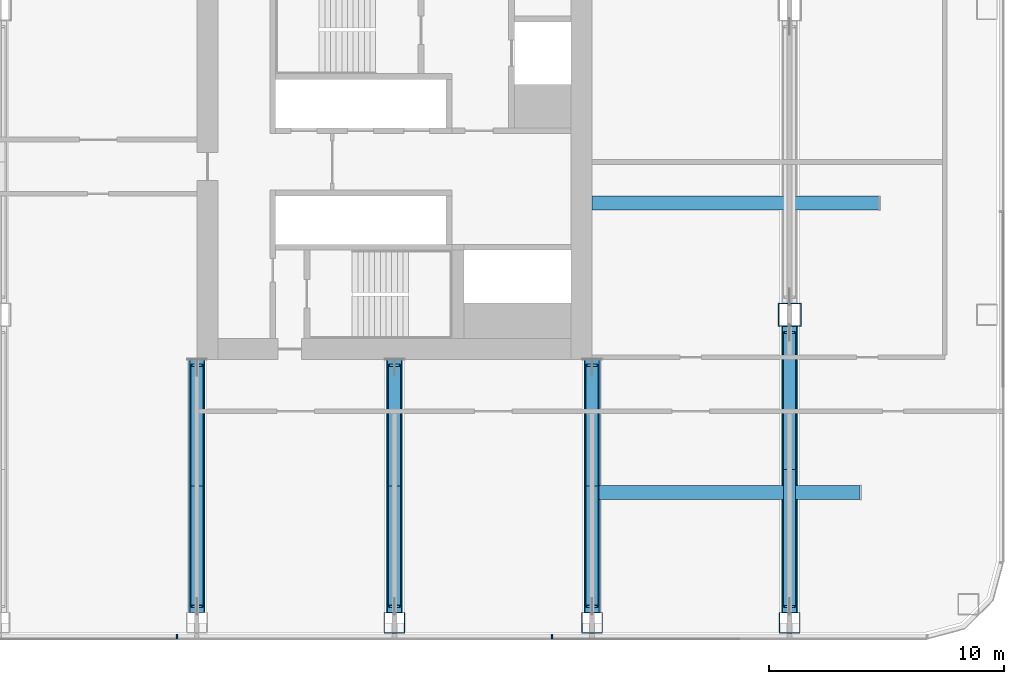
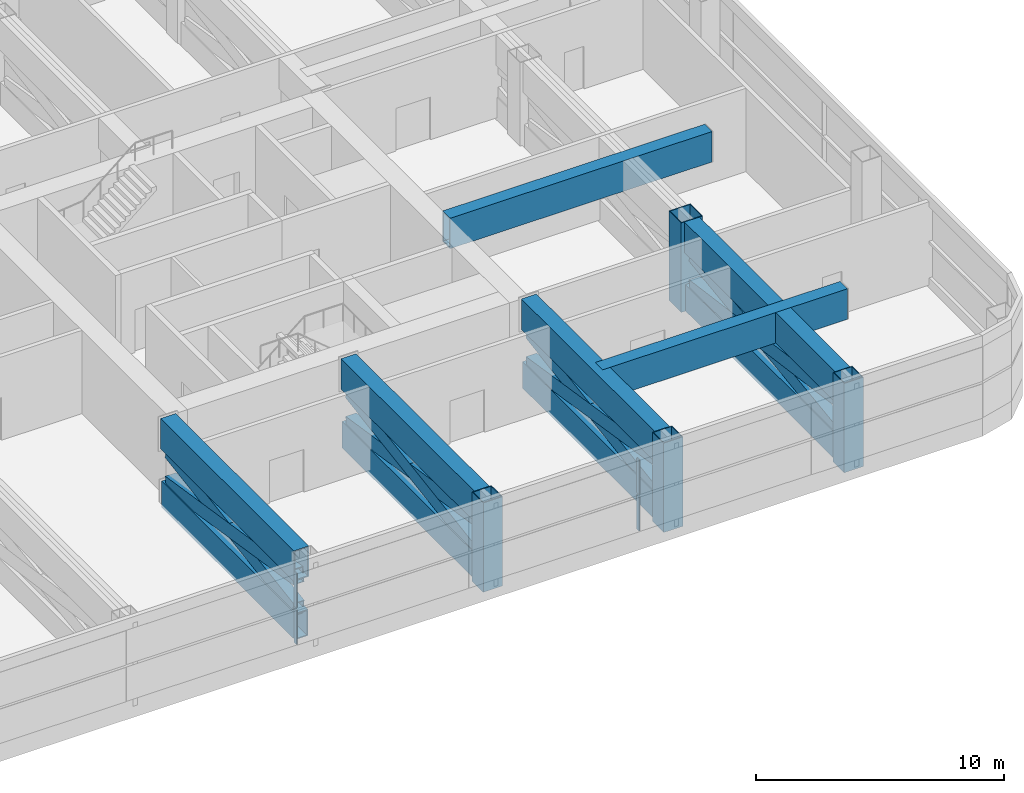
# One storey, part 10 of 30: 24 members, 2 beams, 1 element without a shape of its own.
"""IFC4 building model written with IfcOpenShell, lengths in metres."""

import ifcopenshell
import ifcopenshell.guid

model = None  # the IFC model being written
_history = None  # IfcOwnerHistory: only IFC2X3 demands one
_inside = {}  # id of a spatial element -> (the spatial element, [elements in it])
_under = {}  # id of a project, library or spatial element -> (it, [spatial elements below it])
_declared = {}  # id of a project -> (the project, [libraries it declares])
_typed = {}  # id of a type object -> (the type object, [elements of that type])
_made_of = {}  # id of a material, layer set ... -> (it, [elements and type objects made of it])


def new_model(schema):
    """Start an empty IFC model of exactly this schema.

    Asked for "IFC4X3", IfcOpenShell would pick the latest addendum, in which some entities
    have other attributes; the version numbers below select the first issue.
    IFC2X3 requires an IfcOwnerHistory on every rooted entity: one is made here for all.
    """
    global model, _history
    if schema == "IFC4X3":
        model = ifcopenshell.file(schema_version=(4, 3, 0, 0))
    else:
        model = ifcopenshell.file(schema=schema)
    _inside.clear()
    _under.clear()
    _declared.clear()
    _typed.clear()
    _made_of.clear()
    _history = None
    if model.schema == "IFC2X3":
        org = make("IfcOrganization", Name="unknown")
        user = make(
            "IfcPersonAndOrganization",
            ThePerson=make("IfcPerson", FamilyName="unknown"),
            TheOrganization=org,
        )
        app = make(
            "IfcApplication",
            ApplicationDeveloper=org,
            Version="unknown",
            ApplicationFullName="unknown",
            ApplicationIdentifier="unknown",
        )
        _history = make(
            "IfcOwnerHistory",
            OwningUser=user,
            OwningApplication=app,
            ChangeAction="ADDED",
            CreationDate=0,
        )
    return model


def make(cls, **values):
    """One entity of the class cls with the attributes given. An attribute that is None is left unset."""
    return model.create_entity(
        cls, **{name: value for name, value in values.items() if value is not None}
    )


def rooted(cls, **values):
    """An entity with a GlobalId (a new one), such as an element, a storey or a relation."""
    return make(cls, GlobalId=ifcopenshell.guid.new(), OwnerHistory=_history, **values)


def si_unit(unit_type, name, prefix=None):
    """IfcSIUnit, for example si_unit("LENGTHUNIT", "METRE", prefix="MILLI")."""
    return make("IfcSIUnit", UnitType=unit_type, Prefix=prefix, Name=name)


def assignment(units):
    """IfcUnitAssignment: the units of a project."""
    return None if units is None else make("IfcUnitAssignment", Units=units)


def point(xyz):
    """IfcCartesianPoint."""
    return None if xyz is None else make("IfcCartesianPoint", Coordinates=xyz)


def direction(xyz):
    """IfcDirection."""
    return None if xyz is None else make("IfcDirection", DirectionRatios=xyz)


def frame(location, z_axis=None, x_axis=None):
    """IfcAxis2Placement3D, a coordinate frame: its origin and axes. An axis left out is left unset."""
    return make(
        "IfcAxis2Placement3D",
        Location=point(location),
        Axis=direction(z_axis),
        RefDirection=direction(x_axis),
    )


def frame_2d(location, x_axis=None):
    """IfcAxis2Placement2D, a coordinate frame in the plane: its origin and x axis."""
    return make(
        "IfcAxis2Placement2D", Location=point(location), RefDirection=direction(x_axis)
    )


def origin():
    """The frame at (0, 0, 0) with its axes left unset."""
    return frame((0.0, 0.0, 0.0))


def origin_2d():
    """The frame at (0, 0) in the plane with its x axis left unset."""
    return frame_2d((0.0, 0.0))


def place(relative_to, where):
    """IfcLocalPlacement: puts the frame where relative to a parent placement (None: the world)."""
    return make(
        "IfcLocalPlacement", PlacementRelTo=relative_to, RelativePlacement=where
    )


def context(
    kind, dimensions, precision=None, world=None, true_north=None, identifier=None
):
    """IfcGeometricRepresentationContext, for example the 3D "Model" context."""
    return make(
        "IfcGeometricRepresentationContext",
        ContextIdentifier=identifier,
        ContextType=kind,
        CoordinateSpaceDimension=dimensions,
        Precision=precision,
        WorldCoordinateSystem=world,
        TrueNorth=true_north,
    )


def subcontext(parent, identifier, kind, view, scale=None):
    """IfcGeometricRepresentationSubContext, for example "Body" below "Model"."""
    return make(
        "IfcGeometricRepresentationSubContext",
        ContextIdentifier=identifier,
        ContextType=kind,
        ParentContext=parent,
        TargetScale=scale,
        TargetView=view,
    )


def project(units=None, contexts=None):
    """IfcProject with its units and contexts."""
    return rooted(
        "IfcProject",
        Name="project",
        RepresentationContexts=contexts,
        UnitsInContext=assignment(units),
    )


def spatial(cls, under=None, at=None, **own):
    """A site, building, storey or space (cls), placed at a placement, below another one or the project."""
    s = rooted(cls, ObjectPlacement=at, **own)
    if under is not None:
        _under.setdefault(under.id(), (under, []))[1].append(s)
    return s


def profile(cls, at=None, kind="AREA", **sizes):
    """A parametric profile (cls). Its sizes go by their IFC names, for example OverallWidth=200.0."""
    return make(cls, ProfileType=kind, Position=at, **sizes)


def rectangle(**sizes):
    """IfcRectangleProfileDef."""
    return profile("IfcRectangleProfileDef", **sizes)


def hollow_rectangle(**sizes):
    """IfcRectangleHollowProfileDef."""
    return profile("IfcRectangleHollowProfileDef", **sizes)


def extrude(swept, where, along, depth):
    """IfcExtrudedAreaSolid: the profile swept, set in the frame where, extruded along a direction by depth."""
    return make(
        "IfcExtrudedAreaSolid",
        SweptArea=swept,
        Position=where,
        ExtrudedDirection=direction(along),
        Depth=depth,
    )


def shape(context_of_items, identifier, shape_type, items):
    """IfcShapeRepresentation: the items that make up one representation, for example the "Body"."""
    return make(
        "IfcShapeRepresentation",
        ContextOfItems=context_of_items,
        RepresentationIdentifier=identifier,
        RepresentationType=shape_type,
        Items=items,
    )


def material(Name=None, Category=None):
    """IfcMaterial."""
    return make("IfcMaterial", Name=Name, Category=Category)


def layer(
    of_material, thickness, ventilated=None, Name=None, Category=None, Priority=None
):
    """IfcMaterialLayer: one layer of a wall or slab, of a material (None: an air gap)."""
    return make(
        "IfcMaterialLayer",
        Material=of_material,
        LayerThickness=thickness,
        IsVentilated=ventilated,
        Name=Name,
        Category=Category,
        Priority=Priority,
    )


def layer_set(layers, Name=None):
    """IfcMaterialLayerSet."""
    return make("IfcMaterialLayerSet", MaterialLayers=layers, LayerSetName=Name)


def material_profile(
    of_material, cross_section, Name=None, Category=None, Priority=None
):
    """IfcMaterialProfile: a cross section and its material."""
    return make(
        "IfcMaterialProfile",
        Name=Name,
        Material=of_material,
        Profile=cross_section,
        Priority=Priority,
        Category=Category,
    )


def profile_set(profiles, Name=None, composite=None):
    """IfcMaterialProfileSet."""
    return make(
        "IfcMaterialProfileSet",
        Name=Name,
        MaterialProfiles=profiles,
        CompositeProfile=composite,
    )


def made_of(thing, what):
    """Note that an element or type object is made of a material, layer set ...; save() writes the relation."""
    if what is not None:
        _made_of.setdefault(what.id(), (what, []))[1].append(thing)
    return thing


def type_object(cls, material=None, **own):
    """A type object (cls), such as IfcWallType, which elements share."""
    return made_of(rooted(cls, **own), material)


def element(
    cls,
    number,
    at=None,
    inside=None,
    cuts=None,
    type_object=None,
    material=None,
    context=None,
    identifier="Body",
    shape_type=None,
    held_by="IfcProductDefinitionShape",
    body=None,
    shapes=None,
    **own,
):
    """One element of the class cls, such as IfcWall. Its Tag is "e" and its number.

    at: its placement. inside: the storey or other place that contains it. cuts: it is an
    opening in that element (IfcRelVoidsElement). A single representation is given by context,
    identifier, shape_type and body (its items); several are given by shapes. held_by: the class
    of the entity that holds the representations. save() writes the other relations.
    """
    e = rooted(cls, Tag="e%d" % number, ObjectPlacement=at, **own)
    if body is not None:
        shapes = [shape(context, identifier, shape_type, body)]
    if shapes is not None:
        e.Representation = make(held_by, Representations=shapes)
    if inside is not None:
        _inside.setdefault(inside.id(), (inside, []))[1].append(e)
    if cuts is not None:
        rooted(
            "IfcRelVoidsElement", RelatingBuildingElement=cuts, RelatedOpeningElement=e
        )
    if type_object is not None:
        _typed.setdefault(type_object.id(), (type_object, []))[1].append(e)
    return made_of(e, material)


def aggregate(whole, parts):
    """IfcRelAggregates: a whole, such as a stair, and the parts it consists of."""
    return rooted("IfcRelAggregates", RelatingObject=whole, RelatedObjects=parts)


def save(model, path):
    """Write the relations noted so far, then the file.

    IfcRelAggregates (storeys below a building ...), IfcRelContainedInSpatialStructure (elements
    in a storey), IfcRelDefinesByType, IfcRelAssociatesMaterial and IfcRelDeclares: one each for
    every whole, place, type object, material and project.
    """
    for whole, parts in _under.values():
        aggregate(whole, parts)
    for where, things in _inside.values():
        rooted(
            "IfcRelContainedInSpatialStructure",
            RelatedElements=things,
            RelatingStructure=where,
        )
    for kind, things in _typed.values():
        rooted("IfcRelDefinesByType", RelatedObjects=things, RelatingType=kind)
    for what, things in _made_of.values():
        rooted("IfcRelAssociatesMaterial", RelatedObjects=things, RelatingMaterial=what)
    for by, libraries in _declared.values():
        rooted("IfcRelDeclares", RelatingContext=by, RelatedDefinitions=libraries)
    model.write(path)


model = new_model("IFC4")

# Units and contexts
model_context = context("Model", 3, precision=1e-05, world=origin(), true_north=direction((0.0, 1.0)))
body_context = subcontext(model_context, "Body", "Model", "MODEL_VIEW")
ifc_project = project(units=[si_unit("LENGTHUNIT", "METRE"), si_unit("AREAUNIT", "SQUARE_METRE"), si_unit("VOLUMEUNIT", "CUBIC_METRE"), si_unit("PLANEANGLEUNIT", "RADIAN"), si_unit("MASSUNIT", "GRAM", prefix="KILO")], contexts=[model_context])

# Site, building, storey
site_placement = place(None, origin())
site = spatial("IfcSite", under=ifc_project, at=site_placement, CompositionType="ELEMENT")
building_placement = place(site_placement, origin())
building = spatial("IfcBuilding", under=site, at=building_placement, Name="Hakoniwa Tower and Hamabe Station Hall", CompositionType="ELEMENT")
storey_placement = place(building_placement, frame((0.0, 0.0, 64.60009765625)))
storey = spatial("IfcBuildingStorey", under=building, at=storey_placement, Name="L18", CompositionType="ELEMENT", Elevation=64.60009765625)

# Curtain wall, members
ifc_material_1 = material(Name="Dark low-e laminated glass", Category="glass")
ifc_layer = layer(ifc_material_1, 0.199951171875)
ifc_layer_set = layer_set([ifc_layer], Name="CW-6 PLANT LOUVRE")
curtain_wall_type = type_object("IfcCurtainWallType", Name="CW-6 PLANT LOUVRE", PredefinedType="NOTDEFINED", material=ifc_layer_set)
curtain_wall_placement = place(storey_placement, origin())
curtain_wall = element("IfcCurtainWall", 1, at=curtain_wall_placement, inside=storey, type_object=curtain_wall_type, Name="CW-6 curtain wall", PredefinedType="NOTDEFINED")
ifc_material_2 = material(Name="Aluminium 6063-T5 black anodised", Category="aluminium")
ifc_material_profile_1 = material_profile(ifc_material_2, rectangle(XDim=0.06005859375, YDim=0.179931640625, at=origin_2d()), Name="CW-1 MULLION 60X180")
ifc_profile_set_1 = profile_set([ifc_material_profile_1], Name="Aluminium 6063-T5 black anodised")
member_type_1 = type_object("IfcMemberType", Name="CW-1 MULLION 60X180", PredefinedType="MULLION", material=ifc_profile_set_1)
member_1_placement = place(storey_placement, frame((15.946533203125, -20.181884765625, 0.349853515625), z_axis=(0.0, 0.0, 1.0), x_axis=(1.0, 0.0, 0.0)))
member_1 = element("IfcMember", 2, at=member_1_placement, type_object=member_type_1, Name="CW-6 mullion", PredefinedType="MULLION", context=body_context, shape_type="SweptSolid", body=[
    extrude(rectangle(XDim=0.06005859375, YDim=0.179931640625, at=origin_2d()), origin(), (0.0, 0.0, 1.0), 1.68994140625),
])
member_2_placement = place(storey_placement, frame((15.946533203125, -20.181884765625, 2.159912109375), z_axis=(0.0, 0.0, 1.0), x_axis=(1.0, 0.0, 0.0)))
member_2 = element("IfcMember", 3, at=member_2_placement, type_object=member_type_1, Name="CW-6 mullion", PredefinedType="MULLION", context=body_context, shape_type="SweptSolid", body=[
    extrude(rectangle(XDim=0.06005859375, YDim=0.179931640625, at=origin_2d()), origin(), (0.0, 0.0, 1.0), 1.68994140625),
])
member_3_placement = place(storey_placement, frame((31.89306640625, -20.181884765625, 0.349853515625), z_axis=(0.0, 0.0, 1.0), x_axis=(1.0, 0.0, 0.0)))
member_3 = element("IfcMember", 4, at=member_3_placement, type_object=member_type_1, Name="CW-6 mullion", PredefinedType="MULLION", context=body_context, shape_type="SweptSolid", body=[
    extrude(rectangle(XDim=0.06005859375, YDim=0.179931640625, at=origin_2d()), origin(), (0.0, 0.0, 1.0), 1.68994140625),
])
member_4_placement = place(storey_placement, frame((31.89306640625, -20.181884765625, 2.159912109375), z_axis=(0.0, 0.0, 1.0), x_axis=(1.0, 0.0, 0.0)))
member_4 = element("IfcMember", 5, at=member_4_placement, type_object=member_type_1, Name="CW-6 mullion", PredefinedType="MULLION", context=body_context, shape_type="SweptSolid", body=[
    extrude(rectangle(XDim=0.06005859375, YDim=0.179931640625, at=origin_2d()), origin(), (0.0, 0.0, 1.0), 1.68994140625),
])
aggregate(curtain_wall, [member_1, member_2, member_3, member_4])

# Beams
ifc_material_3 = material(Name="Steel SN490C", Category="steel")
ifc_material_profile_2 = material_profile(ifc_material_3, hollow_rectangle(XDim=0.60009765625, YDim=1.5, WallThickness=0.054931640625, at=origin_2d()), Name="BX-1500x600x55")
ifc_profile_set_2 = profile_set([ifc_material_profile_2], Name="Steel SN490C")
beam_type = type_object("IfcBeamType", Name="TRANSFER GIRDER BX-1500x600x55", PredefinedType="BEAM", material=ifc_profile_set_2)
beam_1_placement = place(storey_placement, frame((33.60009765625, -14.052978515625, 3.349853515625), z_axis=(1.0, 0.0, 0.0), x_axis=(0.0, 1.0, 0.0)))
element("IfcBeam", 6, at=beam_1_placement, inside=storey, type_object=beam_type, Name="Truss L18-XG2", PredefinedType="BEAM", context=body_context, shape_type="SweptSolid", body=[
    extrude(hollow_rectangle(XDim=0.60009765625, YDim=1.5, WallThickness=0.054931640625, at=origin_2d()), origin(), (0.0, 0.0, 1.0), 11.40283203125),
])
beam_2_placement = place(storey_placement, frame((33.60009765625, -1.75, 3.349853515625), z_axis=(1.0, 0.0, 0.0), x_axis=(0.0, 1.0, 0.0)))
element("IfcBeam", 7, at=beam_2_placement, inside=storey, type_object=beam_type, Name="Truss L18-XG4", PredefinedType="BEAM", context=body_context, shape_type="SweptSolid", body=[
    extrude(hollow_rectangle(XDim=0.60009765625, YDim=1.5, WallThickness=0.054931640625, at=origin_2d()), origin(), (0.0, 0.0, 1.0), 12.199951171875),
])

# Members
ifc_material_4 = material(Name="Steel SN490C", Category="steel")
ifc_material_profile_3 = material_profile(ifc_material_4, hollow_rectangle(XDim=0.60009765625, YDim=1.300048828125, WallThickness=0.050048828125, at=origin_2d()), Name="BX-1300x600x50")
ifc_profile_set_3 = profile_set([ifc_material_profile_3], Name="Steel SN490C")
member_type_2 = type_object("IfcMemberType", Name="TRUSS CHORD BX-1300x600x50", PredefinedType="CHORD", material=ifc_profile_set_3)
for number, where, z_axis, x_axis, name in (
    (8, (16.800048828125, -19.14990234375, 0.349853515625), (0.0, 1.0, 0.0), (-1.0, 0.0, 0.0), "Truss T1-15-BC01"),
    (9, (25.199951171875, -19.14990234375, 0.349853515625), (0.0, 1.0, 0.0), (-1.0, 0.0, 0.0), "Truss T1-17-BC01"),
    (10, (33.60009765625, -19.14990234375, 0.349853515625), (0.0, 1.0, 0.0), (-1.0, 0.0, 0.0), "Truss T1-19-BC01"),
):
    element("IfcMember", number, at=place(storey_placement, frame(where, z_axis=z_axis, x_axis=x_axis)), inside=storey, type_object=member_type_2, Name=name, PredefinedType="CHORD", context=body_context, shape_type="SweptSolid", body=[
        extrude(hollow_rectangle(XDim=0.60009765625, YDim=1.300048828125, WallThickness=0.050048828125, at=origin_2d()), origin(), (0.0, 0.0, 1.0), 10.75),
    ])
member_5_placement = place(storey_placement, frame((42.0, -19.14990234375, 0.349853515625), z_axis=(0.0, 1.0, 0.0), x_axis=(-1.0, 0.0, 0.0)))
element("IfcMember", 11, at=member_5_placement, inside=storey, type_object=member_type_2, Name="Truss T1-21-BC01", PredefinedType="CHORD", context=body_context, shape_type="SweptSolid", body=[
    extrude(hollow_rectangle(XDim=0.60009765625, YDim=1.300048828125, WallThickness=0.050048828125, at=origin_2d()), origin(), (0.0, 0.0, 1.0), 12.14990234375),
])
ifc_material_5 = material(Name="Steel SN490C", Category="steel")
ifc_material_profile_4 = material_profile(ifc_material_5, hollow_rectangle(XDim=0.699951171875, YDim=1.5, WallThickness=0.054931640625, at=origin_2d()), Name="BX-1500x700x55")
ifc_profile_set_4 = profile_set([ifc_material_profile_4], Name="Steel SN490C")
member_type_3 = type_object("IfcMemberType", Name="TRUSS CHORD BX-1500x700x55", PredefinedType="CHORD", material=ifc_profile_set_4)
for number, where, z_axis, x_axis, name in (
    (12, (16.800048828125, -19.14990234375, 3.349853515625), (0.0, 1.0, 0.0), (-1.0, 0.0, 0.0), "Truss T1-15-TC01"),
    (13, (25.199951171875, -19.14990234375, 3.349853515625), (0.0, 1.0, 0.0), (-1.0, 0.0, 0.0), "Truss T1-17-TC01"),
    (14, (33.60009765625, -19.14990234375, 3.349853515625), (0.0, 1.0, 0.0), (-1.0, 0.0, 0.0), "Truss T1-19-TC01"),
):
    element("IfcMember", number, at=place(storey_placement, frame(where, z_axis=z_axis, x_axis=x_axis)), inside=storey, type_object=member_type_3, Name=name, PredefinedType="CHORD", context=body_context, shape_type="SweptSolid", body=[
        extrude(hollow_rectangle(XDim=0.699951171875, YDim=1.5, WallThickness=0.054931640625, at=origin_2d()), origin(), (0.0, 0.0, 1.0), 10.75),
    ])
member_6_placement = place(storey_placement, frame((42.0, -19.14990234375, 3.349853515625), z_axis=(0.0, 1.0, 0.0), x_axis=(-1.0, 0.0, 0.0)))
element("IfcMember", 15, at=member_6_placement, inside=storey, type_object=member_type_3, Name="Truss T1-21-TC01", PredefinedType="CHORD", context=body_context, shape_type="SweptSolid", body=[
    extrude(hollow_rectangle(XDim=0.699951171875, YDim=1.5, WallThickness=0.054931640625, at=origin_2d()), origin(), (0.0, 0.0, 1.0), 12.14990234375),
])
ifc_material_6 = material(Name="Steel SN490C", Category="steel")
ifc_material_profile_5 = material_profile(ifc_material_6, hollow_rectangle(XDim=0.5, YDim=0.699951171875, WallThickness=0.031982421875, at=origin_2d()), Name="BX-700x500x32")
ifc_profile_set_5 = profile_set([ifc_material_profile_5], Name="Steel SN490C")
member_type_4 = type_object("IfcMemberType", Name="TRUSS DIAGONAL BX-700x500x32", PredefinedType="BRACE", material=ifc_profile_set_5)
for number, where, z_axis, x_axis, name in (
    (16, (16.800048828125, -18.89990234375, 1.0), (0.0, 0.988037147164, 0.15421606863), (-1.0, 0.0, 0.0), "Truss T1-15-D01a"),
    (17, (16.800048828125, -18.89990234375, 2.599853515625), (0.0, 0.988037147164, -0.15421606863), (-1.0, 0.0, 0.0), "Truss T1-15-D01b"),
    (18, (25.199951171875, -18.89990234375, 1.0), (0.0, 0.988037147164, 0.15421606863), (-1.0, 0.0, 0.0), "Truss T1-17-D01a"),
    (19, (25.199951171875, -18.89990234375, 2.599853515625), (0.0, 0.988037147164, -0.15421606863), (-1.0, 0.0, 0.0), "Truss T1-17-D01b"),
    (20, (33.60009765625, -18.89990234375, 1.0), (0.0, 0.988037147164, 0.15421606863), (-1.0, 0.0, 0.0), "Truss T1-19-D01a"),
    (21, (33.60009765625, -18.89990234375, 2.599853515625), (0.0, 0.988037147164, -0.15421606863), (-1.0, 0.0, 0.0), "Truss T1-19-D01b"),
):
    element("IfcMember", number, at=place(storey_placement, frame(where, z_axis=z_axis, x_axis=x_axis)), inside=storey, type_object=member_type_4, Name=name, PredefinedType="BRACE", context=body_context, shape_type="SweptSolid", body=[
        extrude(hollow_rectangle(XDim=0.5, YDim=0.699951171875, WallThickness=0.031982421875, at=origin_2d()), origin(), (0.0, 0.0, 1.0), 10.3740234375),
    ])
for number, where, z_axis, x_axis, name in (
    (22, (42.0, -18.89990234375, 1.0), (0.0, 0.990701870054, 0.136050743), (-1.0, 0.0, 0.0), "Truss T1-21-D01a"),
    (23, (42.0, -18.89990234375, 2.599853515625), (0.0, 0.990701870054, -0.136050743), (-1.0, 0.0, 0.0), "Truss T1-21-D01b"),
):
    element("IfcMember", number, at=place(storey_placement, frame(where, z_axis=z_axis, x_axis=x_axis)), inside=storey, type_object=member_type_4, Name=name, PredefinedType="BRACE", context=body_context, shape_type="SweptSolid", body=[
        extrude(hollow_rectangle(XDim=0.5, YDim=0.699951171875, WallThickness=0.031982421875, at=origin_2d()), origin(), (0.0, 0.0, 1.0), 11.75927734375),
    ])
ifc_material_7 = material(Name="Steel SN490C", Category="steel")
ifc_material_profile_6 = material_profile(ifc_material_7, hollow_rectangle(XDim=1.0, YDim=1.0, WallThickness=0.0400390625, at=origin_2d()), Name="BX-1000x1000x40")
ifc_profile_set_6 = profile_set([ifc_material_profile_6], Name="Steel SN490C")
member_type_5 = type_object("IfcMemberType", Name="TRUSS POST BX-1000x1000x40", PredefinedType="POST", material=ifc_profile_set_6)
member_7_placement = place(storey_placement, frame((42.0, -6.5, -0.300048828125), z_axis=(0.0, 0.0, 1.0), x_axis=(1.0, 0.0, 0.0)))
element("IfcMember", 24, at=member_7_placement, inside=storey, type_object=member_type_5, Name="Truss T1-21-P02", PredefinedType="POST", context=body_context, shape_type="SweptSolid", body=[
    extrude(hollow_rectangle(XDim=1.0, YDim=1.0, WallThickness=0.0400390625, at=origin_2d()), origin(), (0.0, 0.0, 1.0), 4.39990234375),
])
ifc_material_8 = material(Name="Steel SN490C", Category="steel")
ifc_material_profile_7 = material_profile(ifc_material_8, hollow_rectangle(XDim=0.89990234375, YDim=0.89990234375, WallThickness=0.035888671875, at=origin_2d()), Name="BX-900x900x36")
ifc_profile_set_7 = profile_set([ifc_material_profile_7], Name="Steel SN490C")
member_type_6 = type_object("IfcMemberType", Name="TRUSS POST BX-900x900x36", PredefinedType="POST", material=ifc_profile_set_7)
for number, where, z_axis, x_axis, name in (
    (25, (25.199951171875, -19.60009765625, -0.300048828125), (0.0, 0.0, 1.0), (1.0, 0.0, 0.0), "Truss T1-17-P01"),
    (26, (33.60009765625, -19.60009765625, -0.300048828125), (0.0, 0.0, 1.0), (1.0, 0.0, 0.0), "Truss T1-19-P01"),
    (27, (42.0, -19.60009765625, -0.300048828125), (0.0, 0.0, 1.0), (1.0, 0.0, 0.0), "Truss T1-21-P01"),
):
    element("IfcMember", number, at=place(storey_placement, frame(where, z_axis=z_axis, x_axis=x_axis)), inside=storey, type_object=member_type_6, Name=name, PredefinedType="POST", context=body_context, shape_type="SweptSolid", body=[
        extrude(hollow_rectangle(XDim=0.89990234375, YDim=0.89990234375, WallThickness=0.035888671875, at=origin_2d()), origin(), (0.0, 0.0, 1.0), 4.39990234375),
    ])

save(model, "model.ifc")
